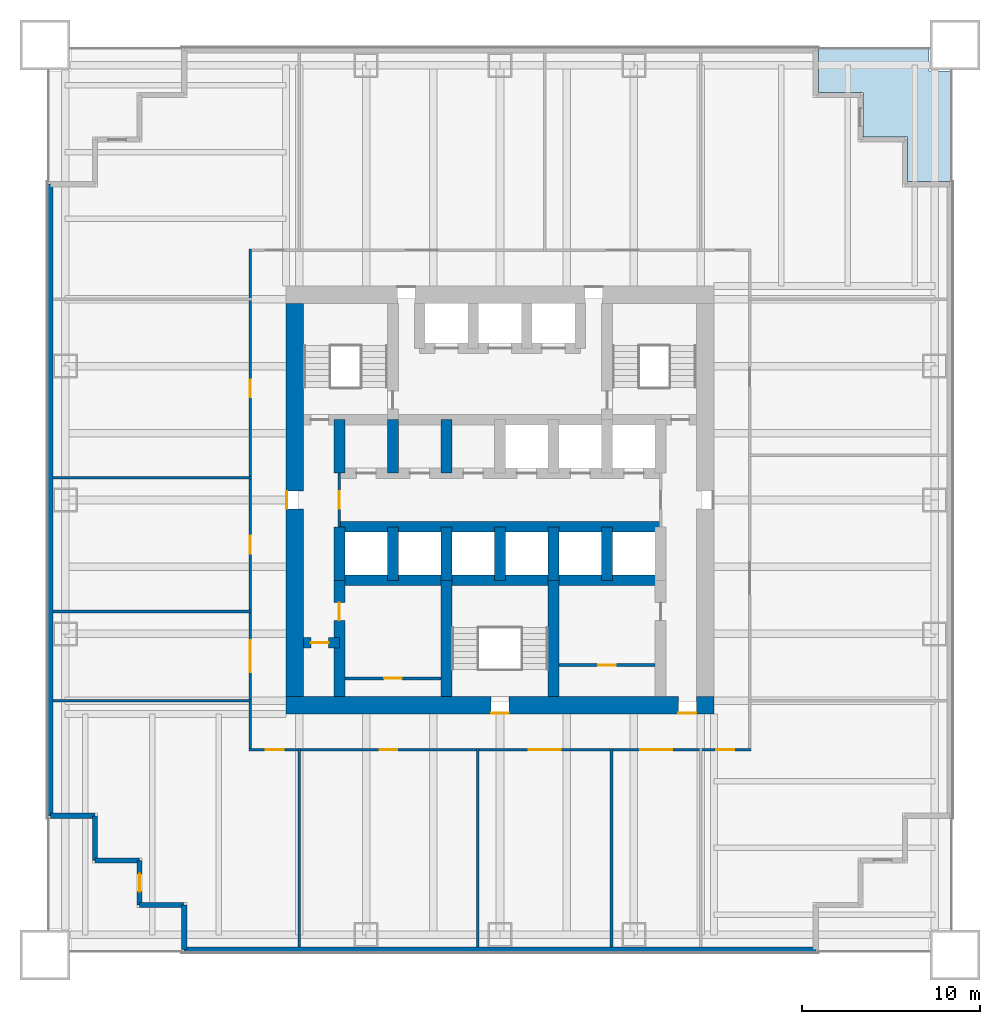
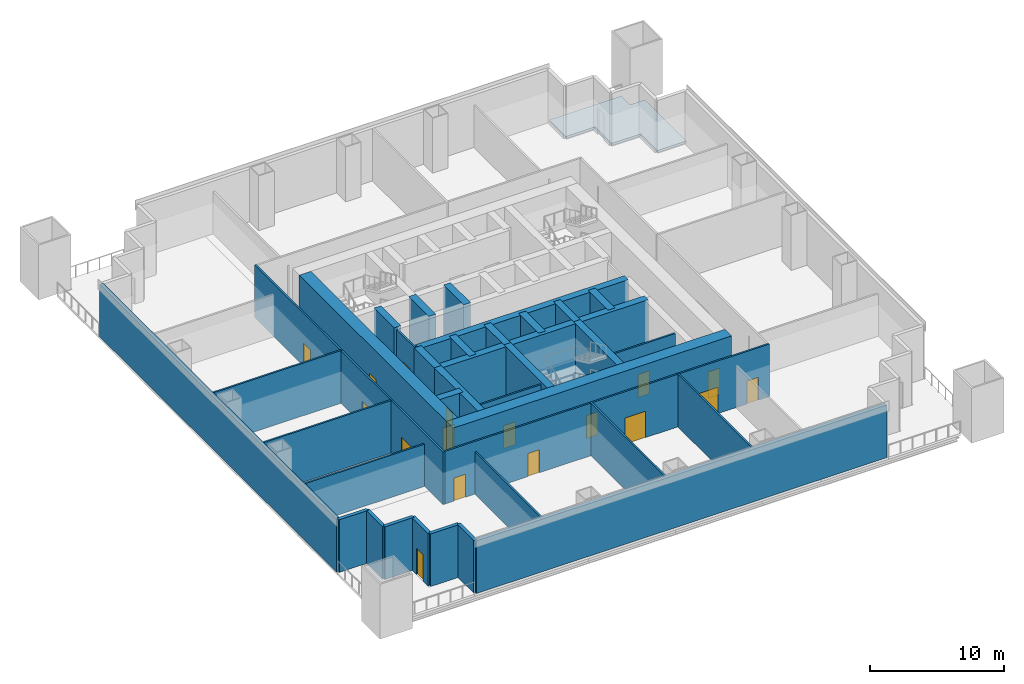
# One storey, part 2 of 6: 36 walls, 17 doors, 1 slab, 17 openings.
"""IFC4 building model written with IfcOpenShell, lengths in metres."""

from ifc_helpers import new_model, si_unit, direction, frame, frame_2d, origin, place, context, subcontext, project, spatial, polyline, rectangle, outline, extrude, material, layer, layer_set, type_object, element, fill, save


model = new_model("IFC4")

# Units and contexts
model_context = context("Model", 3, precision=1e-05, world=origin(), true_north=direction((0.0, 1.0)))
body_context = subcontext(model_context, "Body", "Model", "MODEL_VIEW")
ifc_project = project(units=[si_unit("LENGTHUNIT", "METRE"), si_unit("AREAUNIT", "SQUARE_METRE"), si_unit("VOLUMEUNIT", "CUBIC_METRE"), si_unit("PLANEANGLEUNIT", "RADIAN"), si_unit("MASSUNIT", "GRAM", prefix="KILO")], contexts=[model_context])

# Site, building, storey
site_placement = place(None, origin())
site = spatial("IfcSite", under=ifc_project, at=site_placement, CompositionType="ELEMENT")
building_placement = place(site_placement, origin())
building = spatial("IfcBuilding", under=site, at=building_placement, Name="Tarangal Relay Tower", CompositionType="ELEMENT")
storey_placement = place(building_placement, frame((0.0, 0.0, 28.39990234375)))
storey = spatial("IfcBuildingStorey", under=building, at=storey_placement, Name="L05", CompositionType="ELEMENT", Elevation=28.39990234375)

# Slab
ifc_material_1 = material(Name="Concrete fc' 35 MPa", Category="concrete")
ifc_layer_1 = layer(ifc_material_1, 0.199951171875)
ifc_layer_set_1 = layer_set([ifc_layer_1], Name="Terrace slab 200")
slab_type = type_object("IfcSlabType", Name="Terrace slab 200", PredefinedType="FLOOR", material=ifc_layer_set_1)
slab_placement = place(storey_placement, frame((0.0, 0.0, -0.199951171875)))
element("IfcSlab", 1, at=slab_placement, inside=storey, type_object=slab_type, Name="Corner terrace NE L05", PredefinedType="FLOOR", context=body_context, shape_type="SweptSolid", body=[
    extrude(outline(polyline([(17.85009765625, 25.35009765625), (17.85009765625, 22.85009765625), (20.35009765625, 22.85009765625), (20.35009765625, 20.35009765625), (22.85009765625, 20.35009765625), (22.85009765625, 17.85009765625), (25.35009765625, 17.85009765625), (25.35009765625, 24.050048828125), (24.050048828125, 24.050048828125), (24.050048828125, 25.35009765625), (17.85009765625, 25.35009765625)])), origin(), (0.0, 0.0, 1.0), 0.199951171875),
])

# Walls
ifc_material_2 = material(Name="Concrete fc' 60 MPa", Category="concrete")
ifc_layer_2 = layer(ifc_material_2, 0.60009765625)
ifc_layer_set_2 = layer_set([ifc_layer_2], Name="Core inner wall 600")
wall_type_1 = type_object("IfcWallType", Name="Core inner wall 600", PredefinedType="SHEAR", material=ifc_layer_set_2)
for number, where, z_axis, x_axis, name in (
    (2, (-9.0, -1.5, 0.0), (0.0, 0.0, 1.0), (1.0, 0.0, 0.0), "Core wall YM15 L05"),
    (3, (-9.0, -4.5, 0.0), (0.0, 0.0, 1.0), (1.0, 0.0, 0.0), "Core wall YM45 L05"),
):
    element("IfcWall", number, at=place(storey_placement, frame(where, z_axis=z_axis, x_axis=x_axis)), inside=storey, type_object=wall_type_1, Name=name, PredefinedType="SHEAR", context=body_context, shape_type="SweptSolid", body=[
        extrude(rectangle(XDim=18.0, YDim=0.60009765625, at=frame_2d((9.0, 0.0))), origin(), (0.0, 0.0, 1.0), 5.0),
    ])

# Wall, opening, door
wall_1_placement = place(storey_placement, frame((-11.0, -8.0, 0.0), z_axis=(0.0, 0.0, 1.0), x_axis=(1.0, 0.0, 0.0)))
wall_1 = element("IfcWall", 4, at=wall_1_placement, inside=storey, type_object=wall_type_1, Name="Core wall YM8 L05", PredefinedType="SHEAR", context=body_context, shape_type="SweptSolid", body=[
    extrude(rectangle(XDim=2.0, YDim=0.60009765625, at=frame_2d((1.0, 0.0))), origin(), (0.0, 0.0, 1.0), 5.0),
])
opening_1_placement = place(wall_1_placement, frame((0.39990234375, 0.0, 0.0)))
opening_1 = element("IfcOpeningElement", 5, at=opening_1_placement, cuts=wall_1, Name="Opening D1", PredefinedType="OPENING", context=body_context, shape_type="SweptSolid", body=[
    extrude(rectangle(XDim=1.0, YDim=2.10009765625, at=frame_2d((0.5, 1.050048828125))), frame((0.0, 0.31005859375, 0.0), z_axis=(0.0, -1.0, 0.0), x_axis=(1.0, 0.0, 0.0)), (0.0, 0.0, 1.0), 0.6201171875),
])
ifc_material_3 = material(Name="Hardwood door", Category="wood")
door_type_1 = type_object("IfcDoorType", Name="WC door 1000 x 2100", OperationType="SINGLE_SWING_LEFT", PredefinedType="DOOR", material=ifc_material_3)
door_1_placement = place(opening_1_placement, origin())
door_1 = element("IfcDoor", 6, at=door_1_placement, inside=storey, type_object=door_type_1, Name="Accessible WC door L05", OperationType="SINGLE_SWING_LEFT", OverallHeight=2.10009765625, OverallWidth=1.0, PredefinedType="DOOR", context=body_context, shape_type="SweptSolid", body=[
    extrude(rectangle(XDim=1.0, YDim=2.10009765625, at=frame_2d((0.5, 1.050048828125))), frame((0.0, 0.02490234375, 0.0), z_axis=(0.0, -1.0, 0.0), x_axis=(1.0, 0.0, 0.0)), (0.0, 0.0, 1.0), 0.050048828125),
])
fill(opening_1, door_1)

# Walls
for number, where, z_axis, x_axis, name in (
    (7, (-9.0, 1.5, 0.0), (0.0, 0.0, 1.0), (0.0, 1.0, 0.0), "Core wall XM9N L05"),
    (8, (-9.0, -4.5, 0.0), (0.0, 0.0, 1.0), (0.0, 1.0, 0.0), "Core wall XM9S L05"),
    (9, (-6.0, 1.5, 0.0), (0.0, 0.0, 1.0), (0.0, 1.0, 0.0), "Core wall XM6N L05"),
    (10, (-3.0, 1.5, 0.0), (0.0, 0.0, 1.0), (0.0, 1.0, 0.0), "Core wall XM3N L05"),
    (11, (-6.0, -4.5, 0.0), (0.0, 0.0, 1.0), (0.0, 1.0, 0.0), "Core wall XM6S L05"),
    (12, (-3.0, -4.5, 0.0), (0.0, 0.0, 1.0), (0.0, 1.0, 0.0), "Core wall XM3S L05"),
    (13, (0.0, -4.5, 0.0), (0.0, 0.0, 1.0), (0.0, 1.0, 0.0), "Core wall X0S L05"),
    (14, (3.0, -4.5, 0.0), (0.0, 0.0, 1.0), (0.0, 1.0, 0.0), "Core wall X3S L05"),
    (15, (6.0, -4.5, 0.0), (0.0, 0.0, 1.0), (0.0, 1.0, 0.0), "Core wall X6S L05"),
):
    element("IfcWall", number, at=place(storey_placement, frame(where, z_axis=z_axis, x_axis=x_axis)), inside=storey, type_object=wall_type_1, Name=name, PredefinedType="SHEAR", context=body_context, shape_type="SweptSolid", body=[
        extrude(rectangle(XDim=3.0, YDim=0.60009765625, at=frame_2d((1.5, 0.0))), origin(), (0.0, 0.0, 1.0), 5.0),
    ])

# Wall, opening, door
wall_2_placement = place(storey_placement, frame((-9.0, -11.0, 0.0), z_axis=(0.0, 0.0, 1.0), x_axis=(0.0, 1.0, 0.0)))
wall_2 = element("IfcWall", 16, at=wall_2_placement, inside=storey, type_object=wall_type_1, Name="Core wall XM9W L05", PredefinedType="SHEAR", context=body_context, shape_type="SweptSolid", body=[
    extrude(rectangle(XDim=6.5, YDim=0.60009765625, at=frame_2d((3.25, 0.0))), origin(), (0.0, 0.0, 1.0), 5.0),
])
opening_2_placement = place(wall_2_placement, frame((4.25, 0.0, 0.0)))
opening_2 = element("IfcOpeningElement", 17, at=opening_2_placement, cuts=wall_2, Name="Opening D1", PredefinedType="OPENING", context=body_context, shape_type="SweptSolid", body=[
    extrude(rectangle(XDim=1.0, YDim=2.10009765625, at=frame_2d((0.5, 1.050048828125))), frame((0.0, 0.31005859375, 0.0), z_axis=(0.0, -1.0, 0.0), x_axis=(1.0, 0.0, 0.0)), (0.0, 0.0, 1.0), 0.6201171875),
])
door_2_placement = place(opening_2_placement, origin())
door_2 = element("IfcDoor", 18, at=door_2_placement, inside=storey, type_object=door_type_1, Name="Male WC door L05", OperationType="SINGLE_SWING_LEFT", OverallHeight=2.10009765625, OverallWidth=1.0, PredefinedType="DOOR", context=body_context, shape_type="SweptSolid", body=[
    extrude(rectangle(XDim=1.0, YDim=2.10009765625, at=frame_2d((0.5, 1.050048828125))), frame((0.0, 0.02490234375, 0.0), z_axis=(0.0, -1.0, 0.0), x_axis=(1.0, 0.0, 0.0)), (0.0, 0.0, 1.0), 0.050048828125),
])
fill(opening_2, door_2)

# Walls
for number, where, z_axis, x_axis, name in (
    (19, (-3.0, -11.0, 0.0), (0.0, 0.0, 1.0), (0.0, 1.0, 0.0), "Core wall XM3W L05"),
    (20, (3.0, -11.0, 0.0), (0.0, 0.0, 1.0), (0.0, 1.0, 0.0), "Core wall X3W L05"),
):
    element("IfcWall", number, at=place(storey_placement, frame(where, z_axis=z_axis, x_axis=x_axis)), inside=storey, type_object=wall_type_1, Name=name, PredefinedType="SHEAR", context=body_context, shape_type="SweptSolid", body=[
        extrude(rectangle(XDim=6.5, YDim=0.60009765625, at=frame_2d((3.25, 0.0))), origin(), (0.0, 0.0, 1.0), 5.0),
    ])

# Wall, openings, doors
ifc_layer_3 = layer(ifc_material_2, 1.0)
ifc_layer_set_3 = layer_set([ifc_layer_3], Name="Core wall 1000")
wall_type_2 = type_object("IfcWallType", Name="Core wall 1000", PredefinedType="SHEAR", material=ifc_layer_set_3)
wall_3_placement = place(storey_placement, frame((12.0, -11.5, 0.0), z_axis=(0.0, 0.0, 1.0), x_axis=(-1.0, 0.0, 0.0)))
wall_3 = element("IfcWall", 21, at=wall_3_placement, inside=storey, type_object=wall_type_2, Name="Core wall S L05", PredefinedType="SHEAR", context=body_context, shape_type="SweptSolid", body=[
    extrude(rectangle(XDim=24.0, YDim=1.0, at=frame_2d((12.0, 0.0))), origin(), (0.0, 0.0, 1.0), 5.0),
])
opening_3_placement = place(wall_3_placement, frame((11.5, 0.0, 0.0)))
opening_3 = element("IfcOpeningElement", 22, at=opening_3_placement, cuts=wall_3, Name="Opening FD1", PredefinedType="OPENING", context=body_context, shape_type="SweptSolid", body=[
    extrude(rectangle(XDim=1.0, YDim=2.10009765625, at=frame_2d((0.5, 1.050048828125))), frame((0.0, 0.510009765625, 0.0), z_axis=(0.0, -1.0, 0.0), x_axis=(1.0, 0.0, 0.0)), (0.0, 0.0, 1.0), 1.02001953125),
])
opening_4_placement = place(wall_3_placement, frame((1.0, 0.0, 0.0)))
opening_4 = element("IfcOpeningElement", 23, at=opening_4_placement, cuts=wall_3, Name="Opening FD3", PredefinedType="OPENING", context=body_context, shape_type="SweptSolid", body=[
    extrude(rectangle(XDim=1.0, YDim=2.39990234375, at=frame_2d((0.5, 1.199951171875))), frame((0.0, 0.510009765625, 0.0), z_axis=(0.0, -1.0, 0.0), x_axis=(1.0, 0.0, 0.0)), (0.0, 0.0, 1.0), 1.02001953125),
])
ifc_material_4 = material(Name="Steel door with hardwood frame", Category="steel")
door_type_2 = type_object("IfcDoorType", Name="Fire door 1000 x 2100", OperationType="SINGLE_SWING_LEFT", PredefinedType="DOOR", material=ifc_material_4)
door_3_placement = place(opening_3_placement, origin())
door_3 = element("IfcDoor", 24, at=door_3_placement, inside=storey, type_object=door_type_2, Name="Stair ST-C door L05", OperationType="SINGLE_SWING_LEFT", OverallHeight=2.10009765625, OverallWidth=1.0, PredefinedType="DOOR", context=body_context, shape_type="SweptSolid", body=[
    extrude(rectangle(XDim=1.0, YDim=2.10009765625, at=frame_2d((0.5, 1.050048828125))), frame((0.0, 0.48486328125, 0.0), z_axis=(0.0, -1.0, 0.0), x_axis=(1.0, 0.0, 0.0)), (0.0, 0.0, 1.0), 0.050048828125),
])
fill(opening_3, door_3)
door_type_3 = type_object("IfcDoorType", Name="Fire door 1000 x 2400 core entry", OperationType="SINGLE_SWING_RIGHT", PredefinedType="DOOR", material=ifc_material_4)
door_4_placement = place(opening_4_placement, origin())
door_4 = element("IfcDoor", 25, at=door_4_placement, inside=storey, type_object=door_type_3, Name="Core entry door south east L05", OperationType="SINGLE_SWING_RIGHT", OverallHeight=2.39990234375, OverallWidth=1.0, PredefinedType="DOOR", context=body_context, shape_type="SweptSolid", body=[
    extrude(rectangle(XDim=1.0, YDim=2.39990234375, at=frame_2d((0.5, 1.199951171875))), frame((0.0, 0.48486328125, 0.0), z_axis=(0.0, -1.0, 0.0), x_axis=(1.0, 0.0, 0.0)), (0.0, 0.0, 1.0), 0.050048828125),
])
fill(opening_4, door_4)

# Wall, opening, door
wall_4_placement = place(storey_placement, frame((-11.5, -11.0, 0.0), z_axis=(0.0, 0.0, 1.0), x_axis=(0.0, 1.0, 0.0)))
wall_4 = element("IfcWall", 26, at=wall_4_placement, inside=storey, type_object=wall_type_2, Name="Core wall W L05", PredefinedType="SHEAR", context=body_context, shape_type="SweptSolid", body=[
    extrude(rectangle(XDim=22.0, YDim=1.0, at=frame_2d((11.0, 0.0))), origin(), (0.0, 0.0, 1.0), 5.0),
])
opening_5_placement = place(wall_4_placement, frame((10.5, 0.0, 0.0)))
opening_5 = element("IfcOpeningElement", 27, at=opening_5_placement, cuts=wall_4, Name="Opening FD3", PredefinedType="OPENING", context=body_context, shape_type="SweptSolid", body=[
    extrude(rectangle(XDim=1.0, YDim=2.39990234375, at=frame_2d((0.5, 1.199951171875))), frame((0.0, 0.510009765625, 0.0), z_axis=(0.0, -1.0, 0.0), x_axis=(1.0, 0.0, 0.0)), (0.0, 0.0, 1.0), 1.02001953125),
])
door_5_placement = place(opening_5_placement, origin())
door_5 = element("IfcDoor", 28, at=door_5_placement, inside=storey, type_object=door_type_3, Name="Core entry door west L05", OperationType="SINGLE_SWING_RIGHT", OverallHeight=2.39990234375, OverallWidth=1.0, PredefinedType="DOOR", context=body_context, shape_type="SweptSolid", body=[
    extrude(rectangle(XDim=1.0, YDim=2.39990234375, at=frame_2d((0.5, 1.199951171875))), frame((0.0, 0.48486328125, 0.0), z_axis=(0.0, -1.0, 0.0), x_axis=(1.0, 0.0, 0.0)), (0.0, 0.0, 1.0), 0.050048828125),
])
fill(opening_5, door_5)

# Walls
ifc_material_5 = material(Name="Insulated precast concrete fc' 40 MPa", Category="concrete")
ifc_layer_4 = layer(ifc_material_5, 0.300048828125)
ifc_layer_set_4 = layer_set([ifc_layer_4], Name="Insulated precast concrete fc' 40 MPa")
wall_type_3 = type_object("IfcWallType", Name="Facade wall precast 300", PredefinedType="SOLIDWALL", material=ifc_layer_set_4)
wall_5_placement = place(storey_placement, frame((17.699951171875, -25.199951171875, 0.0), z_axis=(0.0, 0.0, 1.0), x_axis=(-1.0, 0.0, 0.0)))
element("IfcWall", 29, at=wall_5_placement, inside=storey, type_object=wall_type_3, Name="Facade wall S facade L05", PredefinedType="SOLIDWALL", context=body_context, shape_type="SweptSolid", body=[
    extrude(rectangle(XDim=35.39990234375, YDim=0.300048828125, at=frame_2d((17.699951171875, 0.0))), origin(), (0.0, 0.0, 1.0), 4.800048828125),
])
for number, where, z_axis, x_axis, name in (
    (30, (-17.699951171875, -25.199951171875, 0.0), (0.0, 0.0, 1.0), (0.0, 1.0, 0.0), "Facade wall S facade L05"),
    (31, (-17.699951171875, -22.699951171875, 0.0), (0.0, 0.0, 1.0), (-1.0, 0.0, 0.0), "Facade wall S facade L05"),
):
    element("IfcWall", number, at=place(storey_placement, frame(where, z_axis=z_axis, x_axis=x_axis)), inside=storey, type_object=wall_type_3, Name=name, PredefinedType="SOLIDWALL", context=body_context, shape_type="SweptSolid", body=[
        extrude(rectangle(XDim=2.5, YDim=0.300048828125, at=frame_2d((1.25, 0.0))), origin(), (0.0, 0.0, 1.0), 4.800048828125),
    ])

# Wall, opening, door
wall_6_placement = place(storey_placement, frame((-20.199951171875, -22.699951171875, 0.0), z_axis=(0.0, 0.0, 1.0), x_axis=(0.0, 1.0, 0.0)))
wall_6 = element("IfcWall", 32, at=wall_6_placement, inside=storey, type_object=wall_type_3, Name="Facade wall S facade L05", PredefinedType="SOLIDWALL", context=body_context, shape_type="SweptSolid", body=[
    extrude(rectangle(XDim=2.5, YDim=0.300048828125, at=frame_2d((1.25, 0.0))), origin(), (0.0, 0.0, 1.0), 4.800048828125),
])
opening_6_placement = place(wall_6_placement, frame((0.75, 0.0, 0.0)))
opening_6 = element("IfcOpeningElement", 33, at=opening_6_placement, cuts=wall_6, Name="Opening TD1", PredefinedType="OPENING", context=body_context, shape_type="SweptSolid", body=[
    extrude(rectangle(XDim=1.0, YDim=2.39990234375, at=frame_2d((0.5, 1.199951171875))), frame((0.0, 0.159912109375, 0.0), z_axis=(0.0, -1.0, 0.0), x_axis=(1.0, 0.0, 0.0)), (0.0, 0.0, 1.0), 0.320068359375),
])
ifc_material_6 = material(Name="Aluminium glazed door", Category="aluminium")
door_type_4 = type_object("IfcDoorType", Name="Terrace door 1000 x 2400", OperationType="SINGLE_SWING_RIGHT", PredefinedType="DOOR", material=ifc_material_6)
door_6_placement = place(opening_6_placement, origin())
door_6 = element("IfcDoor", 34, at=door_6_placement, inside=storey, type_object=door_type_4, Name="Terrace door TD1 SW L05", OperationType="SINGLE_SWING_RIGHT", OverallHeight=2.39990234375, OverallWidth=1.0, PredefinedType="DOOR", context=body_context, shape_type="SweptSolid", body=[
    extrude(rectangle(XDim=1.0, YDim=2.39990234375, at=frame_2d((0.5, 1.199951171875))), frame((0.0, 0.02490234375, 0.0), z_axis=(0.0, -1.0, 0.0), x_axis=(1.0, 0.0, 0.0)), (0.0, 0.0, 1.0), 0.050048828125),
])
fill(opening_6, door_6)

# Walls
for number, where, z_axis, x_axis, name in (
    (35, (-20.199951171875, -20.199951171875, 0.0), (0.0, 0.0, 1.0), (-1.0, 0.0, 0.0), "Facade wall S facade L05"),
    (36, (-22.699951171875, -20.199951171875, 0.0), (0.0, 0.0, 1.0), (0.0, 1.0, 0.0), "Facade wall S facade L05"),
    (37, (-22.699951171875, -17.699951171875, 0.0), (0.0, 0.0, 1.0), (-1.0, 0.0, 0.0), "Facade wall S facade L05"),
):
    element("IfcWall", number, at=place(storey_placement, frame(where, z_axis=z_axis, x_axis=x_axis)), inside=storey, type_object=wall_type_3, Name=name, PredefinedType="SOLIDWALL", context=body_context, shape_type="SweptSolid", body=[
        extrude(rectangle(XDim=2.5, YDim=0.300048828125, at=frame_2d((1.25, 0.0))), origin(), (0.0, 0.0, 1.0), 4.800048828125),
    ])
wall_7_placement = place(storey_placement, frame((-25.199951171875, -17.699951171875, 0.0), z_axis=(0.0, 0.0, 1.0), x_axis=(0.0, 1.0, 0.0)))
element("IfcWall", 38, at=wall_7_placement, inside=storey, type_object=wall_type_3, Name="Facade wall W facade L05", PredefinedType="SOLIDWALL", context=body_context, shape_type="SweptSolid", body=[
    extrude(rectangle(XDim=35.39990234375, YDim=0.300048828125, at=frame_2d((17.699951171875, 0.0))), origin(), (0.0, 0.0, 1.0), 4.800048828125),
])

# Wall, openings, doors
ifc_material_7 = material(Name="Gypsum board on steel studs", Category="steel")
ifc_layer_5 = layer(ifc_material_7, 0.14990234375)
ifc_layer_set_5 = layer_set([ifc_layer_5], Name="Partition 150")
wall_type_4 = type_object("IfcWallType", Name="Partition 150", PredefinedType="PARTITIONING", material=ifc_layer_set_5)
wall_8_placement = place(storey_placement, frame((-14.074951171875, -14.0, 0.0), z_axis=(0.0, 0.0, 1.0), x_axis=(1.0, 0.0, 0.0)))
wall_8 = element("IfcWall", 39, at=wall_8_placement, inside=storey, type_object=wall_type_4, Name="Partition PT1 L05", PredefinedType="PARTITIONING", context=body_context, shape_type="SweptSolid", body=[
    extrude(rectangle(XDim=28.14990234375, YDim=0.14990234375, at=frame_2d((14.074951171875, 0.0))), origin(), (0.0, 0.0, 1.0), 4.800048828125),
])
opening_7_placement = place(wall_8_placement, frame((21.925048828125, 0.0, 0.0)))
opening_7 = element("IfcOpeningElement", 40, at=opening_7_placement, cuts=wall_8, Name="Opening DD1", PredefinedType="OPENING", context=body_context, shape_type="SweptSolid", body=[
    extrude(rectangle(XDim=1.800048828125, YDim=2.39990234375, at=frame_2d((0.89990234375, 1.199951171875))), frame((0.0, 0.0849609375, 0.0), z_axis=(0.0, -1.0, 0.0), x_axis=(1.0, 0.0, 0.0)), (0.0, 0.0, 1.0), 0.169921875),
])
opening_8_placement = place(wall_8_placement, frame((15.675048828125, 0.0, 0.0)))
opening_8 = element("IfcOpeningElement", 41, at=opening_8_placement, cuts=wall_8, Name="Opening DD1", PredefinedType="OPENING", context=body_context, shape_type="SweptSolid", body=[
    extrude(rectangle(XDim=1.800048828125, YDim=2.39990234375, at=frame_2d((0.89990234375, 1.199951171875))), frame((0.0, 0.0849609375, 0.0), z_axis=(0.0, -1.0, 0.0), x_axis=(1.0, 0.0, 0.0)), (0.0, 0.0, 1.0), 0.169921875),
])
opening_9_placement = place(wall_8_placement, frame((7.324951171875, 0.0, 0.0)))
opening_9 = element("IfcOpeningElement", 42, at=opening_9_placement, cuts=wall_8, Name="Opening D2", PredefinedType="OPENING", context=body_context, shape_type="SweptSolid", body=[
    extrude(rectangle(XDim=1.0, YDim=2.10009765625, at=frame_2d((0.5, 1.050048828125))), frame((0.0, 0.0849609375, 0.0), z_axis=(0.0, -1.0, 0.0), x_axis=(1.0, 0.0, 0.0)), (0.0, 0.0, 1.0), 0.169921875),
])
opening_10_placement = place(wall_8_placement, frame((26.199951171875, 0.0, 0.0)))
opening_10 = element("IfcOpeningElement", 43, at=opening_10_placement, cuts=wall_8, Name="Opening D2", PredefinedType="OPENING", context=body_context, shape_type="SweptSolid", body=[
    extrude(rectangle(XDim=1.0, YDim=2.10009765625, at=frame_2d((0.5, 1.050048828125))), frame((0.0, 0.0849609375, 0.0), z_axis=(0.0, -1.0, 0.0), x_axis=(1.0, 0.0, 0.0)), (0.0, 0.0, 1.0), 0.169921875),
])
opening_11_placement = place(wall_8_placement, frame((0.949951171875, 0.0, 0.0)))
opening_11 = element("IfcOpeningElement", 44, at=opening_11_placement, cuts=wall_8, Name="Opening D2", PredefinedType="OPENING", context=body_context, shape_type="SweptSolid", body=[
    extrude(rectangle(XDim=1.0, YDim=2.10009765625, at=frame_2d((0.5, 1.050048828125))), frame((0.0, 0.0849609375, 0.0), z_axis=(0.0, -1.0, 0.0), x_axis=(1.0, 0.0, 0.0)), (0.0, 0.0, 1.0), 0.169921875),
])
door_type_5 = type_object("IfcDoorType", Name="Door 1000 x 2100", OperationType="SINGLE_SWING_LEFT", PredefinedType="DOOR", material=ifc_material_3)
door_7_placement = place(opening_9_placement, origin())
door_7 = element("IfcDoor", 45, at=door_7_placement, inside=storey, type_object=door_type_5, Name="Door D2 to rack staging room L05-08", OperationType="SINGLE_SWING_LEFT", OverallHeight=2.10009765625, OverallWidth=1.0, PredefinedType="DOOR", context=body_context, shape_type="SweptSolid", body=[
    extrude(rectangle(XDim=1.0, YDim=2.10009765625, at=frame_2d((0.5, 1.050048828125))), frame((0.0, 0.02490234375, 0.0), z_axis=(0.0, -1.0, 0.0), x_axis=(1.0, 0.0, 0.0)), (0.0, 0.0, 1.0), 0.050048828125),
])
fill(opening_9, door_7)
door_8_placement = place(opening_10_placement, origin())
door_8 = element("IfcDoor", 46, at=door_8_placement, inside=storey, type_object=door_type_5, Name="Door D2 to shift engineer office L05-13", OperationType="SINGLE_SWING_LEFT", OverallHeight=2.10009765625, OverallWidth=1.0, PredefinedType="DOOR", context=body_context, shape_type="SweptSolid", body=[
    extrude(rectangle(XDim=1.0, YDim=2.10009765625, at=frame_2d((0.5, 1.050048828125))), frame((0.0, 0.02490234375, 0.0), z_axis=(0.0, -1.0, 0.0), x_axis=(1.0, 0.0, 0.0)), (0.0, 0.0, 1.0), 0.050048828125),
])
fill(opening_10, door_8)
door_9_placement = place(opening_11_placement, origin())
door_9 = element("IfcDoor", 47, at=door_9_placement, inside=storey, type_object=door_type_5, Name="Door D2 to security office L05-14", OperationType="SINGLE_SWING_LEFT", OverallHeight=2.10009765625, OverallWidth=1.0, PredefinedType="DOOR", context=body_context, shape_type="SweptSolid", body=[
    extrude(rectangle(XDim=1.0, YDim=2.10009765625, at=frame_2d((0.5, 1.050048828125))), frame((0.0, 0.02490234375, 0.0), z_axis=(0.0, -1.0, 0.0), x_axis=(1.0, 0.0, 0.0)), (0.0, 0.0, 1.0), 0.050048828125),
])
fill(opening_11, door_9)
door_type_6 = type_object("IfcDoorType", Name="Equipment double door 1800 x 2400", OperationType="DOUBLE_DOOR_SINGLE_SWING", PredefinedType="DOOR", material=ifc_material_4)
door_10_placement = place(opening_7_placement, origin())
door_10 = element("IfcDoor", 48, at=door_10_placement, inside=storey, type_object=door_type_6, Name="Door DD1 to electrical room L05-06", OperationType="DOUBLE_DOOR_SINGLE_SWING", OverallHeight=2.39990234375, OverallWidth=1.800048828125, PredefinedType="DOOR", context=body_context, shape_type="SweptSolid", body=[
    extrude(rectangle(XDim=1.800048828125, YDim=2.39990234375, at=frame_2d((0.89990234375, 1.199951171875))), frame((0.0, 0.02490234375, 0.0), z_axis=(0.0, -1.0, 0.0), x_axis=(1.0, 0.0, 0.0)), (0.0, 0.0, 1.0), 0.050048828125),
])
fill(opening_7, door_10)
door_11_placement = place(opening_8_placement, origin())
door_11 = element("IfcDoor", 49, at=door_11_placement, inside=storey, type_object=door_type_6, Name="Door DD1 to network equipment room L05-07", OperationType="DOUBLE_DOOR_SINGLE_SWING", OverallHeight=2.39990234375, OverallWidth=1.800048828125, PredefinedType="DOOR", context=body_context, shape_type="SweptSolid", body=[
    extrude(rectangle(XDim=1.800048828125, YDim=2.39990234375, at=frame_2d((0.89990234375, 1.199951171875))), frame((0.0, 0.02490234375, 0.0), z_axis=(0.0, -1.0, 0.0), x_axis=(1.0, 0.0, 0.0)), (0.0, 0.0, 1.0), 0.050048828125),
])
fill(opening_8, door_11)

# Walls
wall_9_placement = place(storey_placement, frame((-25.050048828125, -11.25, 0.0), z_axis=(0.0, 0.0, 1.0), x_axis=(1.0, 0.0, 0.0)))
element("IfcWall", 50, at=wall_9_placement, inside=storey, type_object=wall_type_4, Name="Partition PT1 L05", PredefinedType="PARTITIONING", context=body_context, shape_type="SweptSolid", body=[
    extrude(rectangle(XDim=11.125, YDim=0.14990234375, at=frame_2d((5.5625, 0.0))), origin(), (0.0, 0.0, 1.0), 3.852783203125),
])
for number, where, z_axis, x_axis, name in (
    (51, (-25.050048828125, -6.25, 0.0), (0.0, 0.0, 1.0), (1.0, 0.0, 0.0), "Partition PT1 L05"),
    (52, (-25.050048828125, 1.25, 0.0), (0.0, 0.0, 1.0), (1.0, 0.0, 0.0), "Partition PT1 L05"),
):
    element("IfcWall", number, at=place(storey_placement, frame(where, z_axis=z_axis, x_axis=x_axis)), inside=storey, type_object=wall_type_4, Name=name, PredefinedType="PARTITIONING", context=body_context, shape_type="SweptSolid", body=[
        extrude(rectangle(XDim=11.125, YDim=0.14990234375, at=frame_2d((5.5625, 0.0))), origin(), (0.0, 0.0, 1.0), 4.800048828125),
    ])

# Wall, openings, doors
wall_10_placement = place(storey_placement, frame((-14.0, -14.074951171875, 0.0), z_axis=(0.0, 0.0, 1.0), x_axis=(0.0, 1.0, 0.0)))
wall_10 = element("IfcWall", 53, at=wall_10_placement, inside=storey, type_object=wall_type_4, Name="Partition PT1 L05", PredefinedType="PARTITIONING", context=body_context, shape_type="SweptSolid", body=[
    extrude(rectangle(XDim=28.14990234375, YDim=0.14990234375, at=frame_2d((14.074951171875, 0.0))), origin(), (0.0, 0.0, 1.0), 4.800048828125),
])
opening_12_placement = place(wall_10_placement, frame((4.425048828125, 0.0, 0.0)))
opening_12 = element("IfcOpeningElement", 54, at=opening_12_placement, cuts=wall_10, Name="Opening DD1", PredefinedType="OPENING", context=body_context, shape_type="SweptSolid", body=[
    extrude(rectangle(XDim=1.800048828125, YDim=2.39990234375, at=frame_2d((0.89990234375, 1.199951171875))), frame((0.0, 0.0849609375, 0.0), z_axis=(0.0, -1.0, 0.0), x_axis=(1.0, 0.0, 0.0)), (0.0, 0.0, 1.0), 0.169921875),
])
opening_13_placement = place(wall_10_placement, frame((11.074951171875, 0.0, 0.0)))
opening_13 = element("IfcOpeningElement", 55, at=opening_13_placement, cuts=wall_10, Name="Opening D2", PredefinedType="OPENING", context=body_context, shape_type="SweptSolid", body=[
    extrude(rectangle(XDim=1.0, YDim=2.10009765625, at=frame_2d((0.5, 1.050048828125))), frame((0.0, 0.0849609375, 0.0), z_axis=(0.0, -1.0, 0.0), x_axis=(1.0, 0.0, 0.0)), (0.0, 0.0, 1.0), 0.169921875),
])
opening_14_placement = place(wall_10_placement, frame((19.824951171875, 0.0, 0.0)))
opening_14 = element("IfcOpeningElement", 56, at=opening_14_placement, cuts=wall_10, Name="Opening D2", PredefinedType="OPENING", context=body_context, shape_type="SweptSolid", body=[
    extrude(rectangle(XDim=1.0, YDim=2.10009765625, at=frame_2d((0.5, 1.050048828125))), frame((0.0, 0.0849609375, 0.0), z_axis=(0.0, -1.0, 0.0), x_axis=(1.0, 0.0, 0.0)), (0.0, 0.0, 1.0), 0.169921875),
])
door_12_placement = place(opening_13_placement, origin())
door_12 = element("IfcDoor", 57, at=door_12_placement, inside=storey, type_object=door_type_5, Name="Door D2 to customer office L05-10", OperationType="SINGLE_SWING_LEFT", OverallHeight=2.10009765625, OverallWidth=1.0, PredefinedType="DOOR", context=body_context, shape_type="SweptSolid", body=[
    extrude(rectangle(XDim=1.0, YDim=2.10009765625, at=frame_2d((0.5, 1.050048828125))), frame((0.0, 0.02490234375, 0.0), z_axis=(0.0, -1.0, 0.0), x_axis=(1.0, 0.0, 0.0)), (0.0, 0.0, 1.0), 0.050048828125),
])
fill(opening_13, door_12)
door_13_placement = place(opening_14_placement, origin())
door_13 = element("IfcDoor", 58, at=door_13_placement, inside=storey, type_object=door_type_5, Name="Door D2 to account manager office L05-11", OperationType="SINGLE_SWING_LEFT", OverallHeight=2.10009765625, OverallWidth=1.0, PredefinedType="DOOR", context=body_context, shape_type="SweptSolid", body=[
    extrude(rectangle(XDim=1.0, YDim=2.10009765625, at=frame_2d((0.5, 1.050048828125))), frame((0.0, 0.02490234375, 0.0), z_axis=(0.0, -1.0, 0.0), x_axis=(1.0, 0.0, 0.0)), (0.0, 0.0, 1.0), 0.050048828125),
])
fill(opening_14, door_13)
door_14_placement = place(opening_12_placement, origin())
door_14 = element("IfcDoor", 59, at=door_14_placement, inside=storey, type_object=door_type_6, Name="Door DD1 to gas suppression cylinder room L05-09", OperationType="DOUBLE_DOOR_SINGLE_SWING", OverallHeight=2.39990234375, OverallWidth=1.800048828125, PredefinedType="DOOR", context=body_context, shape_type="SweptSolid", body=[
    extrude(rectangle(XDim=1.800048828125, YDim=2.39990234375, at=frame_2d((0.89990234375, 1.199951171875))), frame((0.0, 0.02490234375, 0.0), z_axis=(0.0, -1.0, 0.0), x_axis=(1.0, 0.0, 0.0)), (0.0, 0.0, 1.0), 0.050048828125),
])
fill(opening_12, door_14)

# Walls
wall_11_placement = place(storey_placement, frame((-11.25, -25.050048828125, 0.0), z_axis=(0.0, 0.0, 1.0), x_axis=(0.0, 1.0, 0.0)))
element("IfcWall", 60, at=wall_11_placement, inside=storey, type_object=wall_type_4, Name="Partition PT1 L05", PredefinedType="PARTITIONING", context=body_context, shape_type="SweptSolid", body=[
    extrude(rectangle(XDim=11.125, YDim=0.14990234375, at=frame_2d((5.5625, 0.0))), origin(), (0.0, 0.0, 1.0), 3.852783203125),
])
for number, where, z_axis, x_axis, name in (
    (61, (-1.25, -25.050048828125, 0.0), (0.0, 0.0, 1.0), (0.0, 1.0, 0.0), "Partition PT1 L05"),
    (62, (6.25, -25.050048828125, 0.0), (0.0, 0.0, 1.0), (0.0, 1.0, 0.0), "Partition PT1 L05"),
):
    element("IfcWall", number, at=place(storey_placement, frame(where, z_axis=z_axis, x_axis=x_axis)), inside=storey, type_object=wall_type_4, Name=name, PredefinedType="PARTITIONING", context=body_context, shape_type="SweptSolid", body=[
        extrude(rectangle(XDim=11.125, YDim=0.14990234375, at=frame_2d((5.5625, 0.0))), origin(), (0.0, 0.0, 1.0), 4.800048828125),
    ])

# Wall, opening, door
wall_12_placement = place(storey_placement, frame((-8.699951171875, -10.0, 0.0), z_axis=(0.0, 0.0, 1.0), x_axis=(1.0, 0.0, 0.0)))
wall_12 = element("IfcWall", 63, at=wall_12_placement, inside=storey, type_object=wall_type_4, Name="Partition PT1 L05", PredefinedType="PARTITIONING", context=body_context, shape_type="SweptSolid", body=[
    extrude(rectangle(XDim=5.39990234375, YDim=0.14990234375, at=frame_2d((2.699951171875, 0.0))), origin(), (0.0, 0.0, 1.0), 4.75),
])
opening_15_placement = place(wall_12_placement, frame((2.199951171875, 0.0, 0.0)))
opening_15 = element("IfcOpeningElement", 64, at=opening_15_placement, cuts=wall_12, Name="Opening D1", PredefinedType="OPENING", context=body_context, shape_type="SweptSolid", body=[
    extrude(rectangle(XDim=1.0, YDim=2.10009765625, at=frame_2d((0.5, 1.050048828125))), frame((0.0, 0.0849609375, 0.0), z_axis=(0.0, -1.0, 0.0), x_axis=(1.0, 0.0, 0.0)), (0.0, 0.0, 1.0), 0.169921875),
])
door_15_placement = place(opening_15_placement, origin())
door_15 = element("IfcDoor", 65, at=door_15_placement, inside=storey, type_object=door_type_1, Name="Door D1 to male shower room L05-C7B", OperationType="SINGLE_SWING_LEFT", OverallHeight=2.10009765625, OverallWidth=1.0, PredefinedType="DOOR", context=body_context, shape_type="SweptSolid", body=[
    extrude(rectangle(XDim=1.0, YDim=2.10009765625, at=frame_2d((0.5, 1.050048828125))), frame((0.0, 0.02490234375, 0.0), z_axis=(0.0, -1.0, 0.0), x_axis=(1.0, 0.0, 0.0)), (0.0, 0.0, 1.0), 0.050048828125),
])
fill(opening_15, door_15)

wall_13_placement = place(storey_placement, frame((3.300048828125, -9.25, 0.0), z_axis=(0.0, 0.0, 1.0), x_axis=(1.0, 0.0, 0.0)))
wall_13 = element("IfcWall", 66, at=wall_13_placement, inside=storey, type_object=wall_type_4, Name="Partition PT1 L05", PredefinedType="PARTITIONING", context=body_context, shape_type="SweptSolid", body=[
    extrude(rectangle(XDim=5.39990234375, YDim=0.14990234375, at=frame_2d((2.699951171875, 0.0))), origin(), (0.0, 0.0, 1.0), 4.75),
])
opening_16_placement = place(wall_13_placement, frame((2.199951171875, 0.0, 0.0)))
opening_16 = element("IfcOpeningElement", 67, at=opening_16_placement, cuts=wall_13, Name="Opening D1", PredefinedType="OPENING", context=body_context, shape_type="SweptSolid", body=[
    extrude(rectangle(XDim=1.0, YDim=2.10009765625, at=frame_2d((0.5, 1.050048828125))), frame((0.0, 0.0849609375, 0.0), z_axis=(0.0, -1.0, 0.0), x_axis=(1.0, 0.0, 0.0)), (0.0, 0.0, 1.0), 0.169921875),
])
door_16_placement = place(opening_16_placement, origin())
door_16 = element("IfcDoor", 68, at=door_16_placement, inside=storey, type_object=door_type_1, Name="Door D1 to female shower and changing room L05-C10B", OperationType="SINGLE_SWING_LEFT", OverallHeight=2.10009765625, OverallWidth=1.0, PredefinedType="DOOR", context=body_context, shape_type="SweptSolid", body=[
    extrude(rectangle(XDim=1.0, YDim=2.10009765625, at=frame_2d((0.5, 1.050048828125))), frame((0.0, 0.02490234375, 0.0), z_axis=(0.0, -1.0, 0.0), x_axis=(1.0, 0.0, 0.0)), (0.0, 0.0, 1.0), 0.050048828125),
])
fill(opening_16, door_16)

wall_14_placement = place(storey_placement, frame((-9.0, -1.5, 0.0), z_axis=(0.0, 0.0, 1.0), x_axis=(0.0, 1.0, 0.0)))
wall_14 = element("IfcWall", 69, at=wall_14_placement, inside=storey, type_object=wall_type_4, Name="Partition PT1 L05", PredefinedType="PARTITIONING", context=body_context, shape_type="SweptSolid", body=[
    extrude(rectangle(XDim=3.0, YDim=0.14990234375, at=frame_2d((1.5, 0.0))), origin(), (0.0, 0.0, 1.0), 4.75),
])
opening_17_placement = place(wall_14_placement, frame((1.0, 0.0, 0.0)))
opening_17 = element("IfcOpeningElement", 70, at=opening_17_placement, cuts=wall_14, Name="Opening FD3", PredefinedType="OPENING", context=body_context, shape_type="SweptSolid", body=[
    extrude(rectangle(XDim=1.0, YDim=2.39990234375, at=frame_2d((0.5, 1.199951171875))), frame((0.0, 0.0849609375, 0.0), z_axis=(0.0, -1.0, 0.0), x_axis=(1.0, 0.0, 0.0)), (0.0, 0.0, 1.0), 0.169921875),
])
door_17_placement = place(opening_17_placement, origin())
door_17 = element("IfcDoor", 71, at=door_17_placement, inside=storey, type_object=door_type_3, Name="Lift lobby door FD3 to the west corridor L05", OperationType="SINGLE_SWING_RIGHT", OverallHeight=2.39990234375, OverallWidth=1.0, PredefinedType="DOOR", context=body_context, shape_type="SweptSolid", body=[
    extrude(rectangle(XDim=1.0, YDim=2.39990234375, at=frame_2d((0.5, 1.199951171875))), frame((0.0, 0.02490234375, 0.0), z_axis=(0.0, -1.0, 0.0), x_axis=(1.0, 0.0, 0.0)), (0.0, 0.0, 1.0), 0.050048828125),
])
fill(opening_17, door_17)

save(model, "model.ifc")
